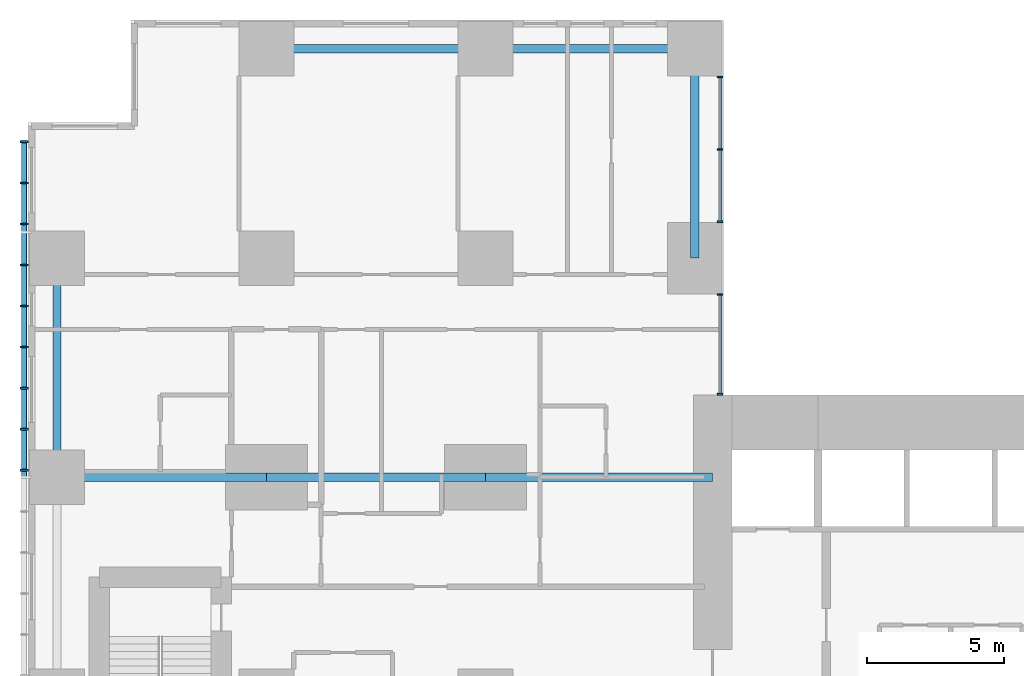
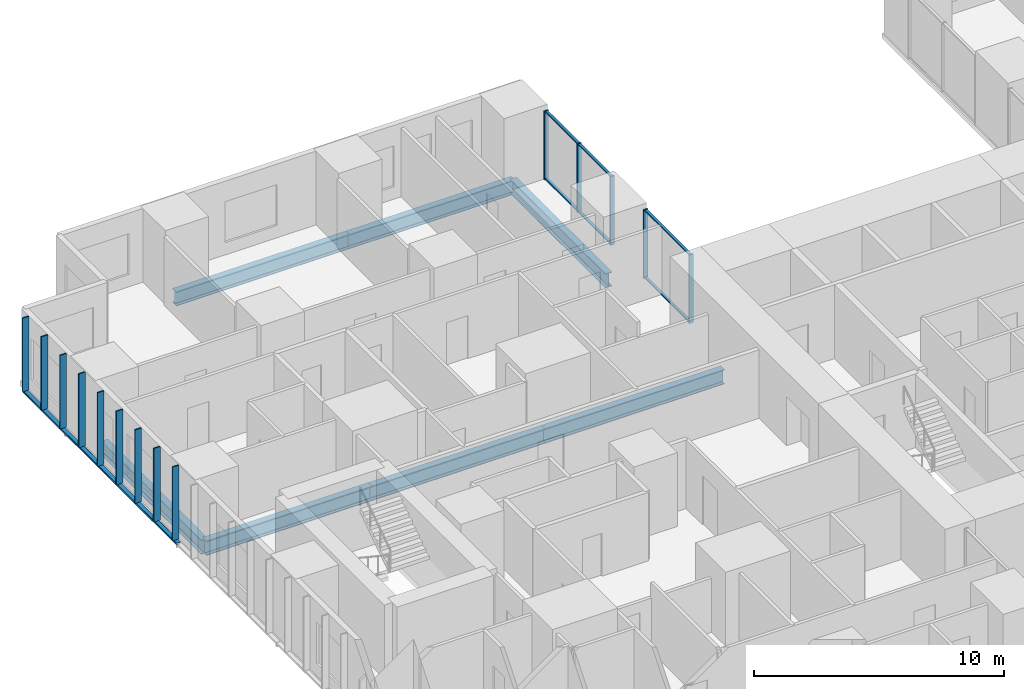
# One storey, part 4 of 20: 21 members, 7 beams, 2 elements without a shape of their own.
"""IFC4 building model written with IfcOpenShell, lengths in metres."""

from ifc_helpers import new_model, si_unit, direction, frame, origin, origin_2d, place, context, subcontext, project, spatial, rectangle, hollow_rectangle, i_section, extrude, material, layer, layer_set, material_profile, profile_set, type_object, element, aggregate, save


model = new_model("IFC4")

# Units and contexts
model_context = context("Model", 3, precision=1e-05, world=origin(), true_north=direction((0.0, 1.0)))
body_context = subcontext(model_context, "Body", "Model", "MODEL_VIEW")
ifc_project = project(units=[si_unit("LENGTHUNIT", "METRE"), si_unit("AREAUNIT", "SQUARE_METRE"), si_unit("VOLUMEUNIT", "CUBIC_METRE"), si_unit("PLANEANGLEUNIT", "RADIAN"), si_unit("MASSUNIT", "GRAM", prefix="KILO")], contexts=[model_context])

# Site, building, storey
site_placement = place(None, origin())
site = spatial("IfcSite", under=ifc_project, at=site_placement, CompositionType="ELEMENT")
building_placement = place(site_placement, origin())
building = spatial("IfcBuilding", under=site, at=building_placement, Name="Cleftline Residences", CompositionType="ELEMENT")
storey_placement = place(building_placement, frame((0.0, 0.0, 80.0)))
storey = spatial("IfcBuildingStorey", under=building, at=storey_placement, Name="L20", CompositionType="ELEMENT", Elevation=80.0)

# Member
ifc_material_1 = material(Name="Steel S355, hot-dip galvanised", Category="steel")
ifc_material_profile_1 = material_profile(ifc_material_1, hollow_rectangle(XDim=0.10009765625, YDim=0.199951171875, WallThickness=0.008056640625, InnerFilletRadius=0.008056640625, OuterFilletRadius=0.011962890625, at=origin_2d()))
ifc_profile_set_1 = profile_set([ifc_material_profile_1], Name="Steel S355, hot-dip galvanised")
member_type_1 = type_object("IfcMemberType", Name="BAGUETTE CARRIER RHS 200X100X8", PredefinedType="USERDEFINED", material=ifc_profile_set_1)
member_1_placement = place(storey_placement, frame((-0.85009765625, 44.300048828125, -0.050048828125), z_axis=(0.0, -1.0, 0.0), x_axis=(0.0, 0.0, 1.0)))
element("IfcMember", 1, at=member_1_placement, inside=storey, type_object=member_type_1, Name="Baguette carrier", ObjectType="BAGUETTE CARRIER", PredefinedType="USERDEFINED", context=body_context, shape_type="SweptSolid", body=[
    extrude(hollow_rectangle(XDim=0.10009765625, YDim=0.199951171875, WallThickness=0.008056640625, InnerFilletRadius=0.008056640625, OuterFilletRadius=0.011962890625, at=origin_2d()), origin(), (0.0, 0.0, 1.0), 12.300048828125),
])

# Beams
ifc_material_2 = material(Name="Steel S355", Category="steel")
ifc_material_profile_2 = material_profile(ifc_material_2, i_section(OverallWidth=0.300048828125, OverallDepth=0.699951171875, WebThickness=0.01708984375, FlangeThickness=0.031982421875, FilletRadius=0.027099609375, at=origin_2d()))
ifc_profile_set_2 = profile_set([ifc_material_profile_2], Name="Steel S355")
beam_type_1 = type_object("IfcBeamType", Name="BEAM HEB 700", PredefinedType="BEAM", material=ifc_profile_set_2)
for number, where, z_axis, x_axis, name in (
    (2, (0.35009765625, 32.0, -0.60009765625), (0.0, 1.0, 0.0), (-1.0, 0.0, 0.0), "Edge beam"),
    (3, (8.0, 47.64990234375, -0.60009765625), (1.0, 0.0, 0.0), (0.0, 1.0, 0.0), "Edge beam"),
):
    element("IfcBeam", number, at=place(storey_placement, frame(where, z_axis=z_axis, x_axis=x_axis)), inside=storey, type_object=beam_type_1, Name=name, PredefinedType="BEAM", context=body_context, shape_type="SweptSolid", body=[
        extrude(i_section(OverallWidth=0.300048828125, OverallDepth=0.699951171875, WebThickness=0.01708984375, FlangeThickness=0.031982421875, FilletRadius=0.027099609375, at=origin_2d()), origin(), (0.0, 0.0, 1.0), 8.0),
    ])
for number, where, z_axis, x_axis, name in (
    (4, (16.0, 47.64990234375, -0.60009765625), (1.0, 0.0, 0.0), (0.0, 1.0, 0.0), "Edge beam"),
    (5, (23.64990234375, 47.64990234375, -0.60009765625), (0.0, -1.0, 0.0), (1.0, 0.0, 0.0), "Edge beam"),
):
    element("IfcBeam", number, at=place(storey_placement, frame(where, z_axis=z_axis, x_axis=x_axis)), inside=storey, type_object=beam_type_1, Name=name, PredefinedType="BEAM", context=body_context, shape_type="SweptSolid", body=[
        extrude(i_section(OverallWidth=0.300048828125, OverallDepth=0.699951171875, WebThickness=0.01708984375, FlangeThickness=0.031982421875, FilletRadius=0.027099609375, at=origin_2d()), origin(), (0.0, 0.0, 1.0), 7.64990234375),
    ])
ifc_material_3 = material(Name="Steel S355", Category="steel")
ifc_material_profile_3 = material_profile(ifc_material_3, i_section(OverallWidth=0.303955078125, OverallDepth=0.716064453125, WebThickness=0.02099609375, FlangeThickness=0.0400390625, FilletRadius=0.027099609375, at=origin_2d()))
ifc_profile_set_3 = profile_set([ifc_material_profile_3], Name="Steel S355")
beam_type_2 = type_object("IfcBeamType", Name="BEAM HEM 700", PredefinedType="BEAM", material=ifc_profile_set_3)
beam_1_placement = place(storey_placement, frame((0.35009765625, 32.0, -0.60791015625), z_axis=(1.0, 0.0, 0.0), x_axis=(0.0, 1.0, 0.0)))
element("IfcBeam", 6, at=beam_1_placement, inside=storey, type_object=beam_type_2, Name="Band beam", PredefinedType="BEAM", context=body_context, shape_type="SweptSolid", body=[
    extrude(i_section(OverallWidth=0.303955078125, OverallDepth=0.716064453125, WebThickness=0.02099609375, FlangeThickness=0.0400390625, FilletRadius=0.027099609375, at=origin_2d()), origin(), (0.0, 0.0, 1.0), 7.64990234375),
])
beam_2_placement = place(storey_placement, frame((8.0, 32.0, -0.60791015625), z_axis=(1.0, 0.0, 0.0), x_axis=(0.0, 1.0, 0.0)))
element("IfcBeam", 7, at=beam_2_placement, inside=storey, type_object=beam_type_2, Name="Band beam", PredefinedType="BEAM", context=body_context, shape_type="SweptSolid", body=[
    extrude(i_section(OverallWidth=0.303955078125, OverallDepth=0.716064453125, WebThickness=0.02099609375, FlangeThickness=0.0400390625, FilletRadius=0.027099609375, at=origin_2d()), origin(), (0.0, 0.0, 1.0), 8.0),
])
beam_3_placement = place(storey_placement, frame((16.0, 32.0, -0.60791015625), z_axis=(1.0, 0.0, 0.0), x_axis=(0.0, 1.0, 0.0)))
element("IfcBeam", 8, at=beam_3_placement, inside=storey, type_object=beam_type_2, Name="Band beam", PredefinedType="BEAM", context=body_context, shape_type="SweptSolid", body=[
    extrude(i_section(OverallWidth=0.303955078125, OverallDepth=0.716064453125, WebThickness=0.02099609375, FlangeThickness=0.0400390625, FilletRadius=0.027099609375, at=origin_2d()), origin(), (0.0, 0.0, 1.0), 8.300048828125),
])

# Curtain wall, members
ifc_material_4 = material(Name="Aluminium framed curtain wall", Category="aluminium")
ifc_layer = layer(ifc_material_4, 0.199951171875)
ifc_layer_set = layer_set([ifc_layer], Name="CW1 CLEFT GLAZING")
curtain_wall_type = type_object("IfcCurtainWallType", Name="CW1 CLEFT GLAZING", PredefinedType="NOTDEFINED", material=ifc_layer_set)
curtain_wall_1_placement = place(storey_placement, origin())
curtain_wall_1 = element("IfcCurtainWall", 9, at=curtain_wall_1_placement, inside=storey, type_object=curtain_wall_type, Name="Curtain wall CW1", PredefinedType="NOTDEFINED")
ifc_material_5 = material(Name="Aluminium mullion", Category="aluminium")
ifc_material_profile_4 = material_profile(ifc_material_5, rectangle(XDim=0.199951171875, YDim=0.06005859375, at=origin_2d()))
ifc_profile_set_4 = profile_set([ifc_material_profile_4], Name="Aluminium mullion")
member_type_2 = type_object("IfcMemberType", Name="CW1 MULLION", PredefinedType="MULLION", material=ifc_profile_set_4)
member_2_placement = place(storey_placement, frame((24.574951171875, 35.030029296875, 0.0), z_axis=(0.0, 0.0, 1.0), x_axis=(-1.0, 0.0, 0.0)))
member_2 = element("IfcMember", 10, at=member_2_placement, type_object=member_type_2, Name="CW1 mullion 1", PredefinedType="MULLION", context=body_context, shape_type="SweptSolid", body=[
    extrude(rectangle(XDim=0.199951171875, YDim=0.06005859375, at=origin_2d()), origin(), (0.0, 0.0, 1.0), 3.35009765625),
])
member_3_placement = place(storey_placement, frame((24.574951171875, 38.669921875, 0.0), z_axis=(0.0, 0.0, 1.0), x_axis=(-1.0, 0.0, 0.0)))
member_3 = element("IfcMember", 11, at=member_3_placement, type_object=member_type_2, Name="CW1 mullion 2", PredefinedType="MULLION", context=body_context, shape_type="SweptSolid", body=[
    extrude(rectangle(XDim=0.199951171875, YDim=0.06005859375, at=origin_2d()), origin(), (0.0, 0.0, 1.0), 3.35009765625),
])

curtain_wall_2_placement = place(storey_placement, origin())
curtain_wall_2 = element("IfcCurtainWall", 12, at=curtain_wall_2_placement, inside=storey, type_object=curtain_wall_type, Name="Curtain wall CW1", PredefinedType="NOTDEFINED")
member_4_placement = place(storey_placement, frame((24.574951171875, 41.330078125, 0.0), z_axis=(0.0, 0.0, 1.0), x_axis=(-1.0, 0.0, 0.0)))
member_4 = element("IfcMember", 13, at=member_4_placement, type_object=member_type_2, Name="CW1 mullion 1", PredefinedType="MULLION", context=body_context, shape_type="SweptSolid", body=[
    extrude(rectangle(XDim=0.199951171875, YDim=0.06005859375, at=origin_2d()), origin(), (0.0, 0.0, 1.0), 3.35009765625),
])
member_5_placement = place(storey_placement, frame((24.574951171875, 43.97509765625, 0.0), z_axis=(0.0, 0.0, 1.0), x_axis=(-1.0, 0.0, 0.0)))
member_5 = element("IfcMember", 14, at=member_5_placement, type_object=member_type_2, Name="CW1 mullion 2", PredefinedType="MULLION", context=body_context, shape_type="SweptSolid", body=[
    extrude(rectangle(XDim=0.199951171875, YDim=0.06005859375, at=origin_2d()), origin(), (0.0, 0.0, 1.0), 3.35009765625),
])
member_6_placement = place(storey_placement, frame((24.574951171875, 46.6201171875, 0.0), z_axis=(0.0, 0.0, 1.0), x_axis=(-1.0, 0.0, 0.0)))
member_6 = element("IfcMember", 15, at=member_6_placement, type_object=member_type_2, Name="CW1 mullion 3", PredefinedType="MULLION", context=body_context, shape_type="SweptSolid", body=[
    extrude(rectangle(XDim=0.199951171875, YDim=0.06005859375, at=origin_2d()), origin(), (0.0, 0.0, 1.0), 3.35009765625),
])

# Member
ifc_material_6 = material(Name="Aluminium transom", Category="aluminium")
ifc_material_profile_5 = material_profile(ifc_material_6, rectangle(XDim=0.1201171875, YDim=0.06005859375, at=origin_2d()))
ifc_profile_set_5 = profile_set([ifc_material_profile_5], Name="Aluminium transom")
member_type_3 = type_object("IfcMemberType", Name="CW1 TRANSOM", PredefinedType="USERDEFINED", material=ifc_profile_set_5)
member_7_placement = place(storey_placement, frame((24.574951171875, 35.06005859375, 0.030029296875), z_axis=(0.0, 1.0, 0.0), x_axis=(-1.0, 0.0, 0.0)))
member_7 = element("IfcMember", 16, at=member_7_placement, type_object=member_type_3, Name="CW1 transom 1.1", ObjectType="TRANSOM", PredefinedType="USERDEFINED", context=body_context, shape_type="SweptSolid", body=[
    extrude(rectangle(XDim=0.1201171875, YDim=0.06005859375, at=origin_2d()), origin(), (0.0, 0.0, 1.0), 3.579833984375),
])

member_8_placement = place(storey_placement, frame((24.574951171875, 35.06005859375, 3.320068359375), z_axis=(0.0, 1.0, 0.0), x_axis=(-1.0, 0.0, 0.0)))
member_8 = element("IfcMember", 17, at=member_8_placement, type_object=member_type_3, Name="CW1 transom 1.2", ObjectType="TRANSOM", PredefinedType="USERDEFINED", context=body_context, shape_type="SweptSolid", body=[
    extrude(rectangle(XDim=0.1201171875, YDim=0.06005859375, at=origin_2d()), origin(), (0.0, 0.0, 1.0), 3.579833984375),
])

aggregate(curtain_wall_1, [member_2, member_3, member_7, member_8])

member_9_placement = place(storey_placement, frame((24.574951171875, 41.360107421875, 0.030029296875), z_axis=(0.0, 1.0, 0.0), x_axis=(-1.0, 0.0, 0.0)))
member_9 = element("IfcMember", 18, at=member_9_placement, type_object=member_type_3, Name="CW1 transom 1.1", ObjectType="TRANSOM", PredefinedType="USERDEFINED", context=body_context, shape_type="SweptSolid", body=[
    extrude(rectangle(XDim=0.1201171875, YDim=0.06005859375, at=origin_2d()), origin(), (0.0, 0.0, 1.0), 2.5849609375),
])

member_10_placement = place(storey_placement, frame((24.574951171875, 41.360107421875, 3.320068359375), z_axis=(0.0, 1.0, 0.0), x_axis=(-1.0, 0.0, 0.0)))
member_10 = element("IfcMember", 19, at=member_10_placement, type_object=member_type_3, Name="CW1 transom 1.2", ObjectType="TRANSOM", PredefinedType="USERDEFINED", context=body_context, shape_type="SweptSolid", body=[
    extrude(rectangle(XDim=0.1201171875, YDim=0.06005859375, at=origin_2d()), origin(), (0.0, 0.0, 1.0), 2.5849609375),
])

member_11_placement = place(storey_placement, frame((24.574951171875, 44.0048828125, 0.030029296875), z_axis=(0.0, 1.0, 0.0), x_axis=(-1.0, 0.0, 0.0)))
member_11 = element("IfcMember", 20, at=member_11_placement, type_object=member_type_3, Name="CW1 transom 2.1", ObjectType="TRANSOM", PredefinedType="USERDEFINED", context=body_context, shape_type="SweptSolid", body=[
    extrude(rectangle(XDim=0.1201171875, YDim=0.06005859375, at=origin_2d()), origin(), (0.0, 0.0, 1.0), 2.585205078125),
])

member_12_placement = place(storey_placement, frame((24.574951171875, 44.0048828125, 3.320068359375), z_axis=(0.0, 1.0, 0.0), x_axis=(-1.0, 0.0, 0.0)))
member_12 = element("IfcMember", 21, at=member_12_placement, type_object=member_type_3, Name="CW1 transom 2.2", ObjectType="TRANSOM", PredefinedType="USERDEFINED", context=body_context, shape_type="SweptSolid", body=[
    extrude(rectangle(XDim=0.1201171875, YDim=0.06005859375, at=origin_2d()), origin(), (0.0, 0.0, 1.0), 2.585205078125),
])

aggregate(curtain_wall_2, [member_4, member_5, member_6, member_9, member_10, member_11, member_12])

# Members
ifc_material_7 = material(Name="Extruded terracotta", Category="masonry")
ifc_material_profile_6 = material_profile(ifc_material_7, rectangle(XDim=0.06005859375, YDim=0.300048828125, at=origin_2d()))
ifc_profile_set_6 = profile_set([ifc_material_profile_6], Name="Extruded terracotta")
member_type_4 = type_object("IfcMemberType", Name="TERRACOTTA BAGUETTE 60X300", PredefinedType="USERDEFINED", material=ifc_profile_set_6)
for number, where, z_axis, x_axis, name in (
    (22, (-0.85009765625, 44.25, 0.0), (0.0, 0.0, 1.0), (0.0, 1.0, 0.0), "Terracotta baguette"),
    (23, (-0.85009765625, 42.75, 0.0), (0.0, 0.0, 1.0), (0.0, 1.0, 0.0), "Terracotta baguette"),
    (24, (-0.85009765625, 41.25, 0.0), (0.0, 0.0, 1.0), (0.0, 1.0, 0.0), "Terracotta baguette"),
    (25, (-0.85009765625, 39.75, 0.0), (0.0, 0.0, 1.0), (0.0, 1.0, 0.0), "Terracotta baguette"),
    (26, (-0.85009765625, 38.25, 0.0), (0.0, 0.0, 1.0), (0.0, 1.0, 0.0), "Terracotta baguette"),
    (27, (-0.85009765625, 36.75, 0.0), (0.0, 0.0, 1.0), (0.0, 1.0, 0.0), "Terracotta baguette"),
    (28, (-0.85009765625, 35.25, 0.0), (0.0, 0.0, 1.0), (0.0, 1.0, 0.0), "Terracotta baguette"),
    (29, (-0.85009765625, 33.75, 0.0), (0.0, 0.0, 1.0), (0.0, 1.0, 0.0), "Terracotta baguette"),
    (30, (-0.85009765625, 32.25, 0.0), (0.0, 0.0, 1.0), (0.0, 1.0, 0.0), "Terracotta baguette"),
):
    element("IfcMember", number, at=place(storey_placement, frame(where, z_axis=z_axis, x_axis=x_axis)), inside=storey, type_object=member_type_4, Name=name, ObjectType="BAGUETTE", PredefinedType="USERDEFINED", context=body_context, shape_type="SweptSolid", body=[
        extrude(rectangle(XDim=0.06005859375, YDim=0.300048828125, at=origin_2d()), origin(), (0.0, 0.0, 1.0), 3.60009765625),
    ])

save(model, "model.ifc")
